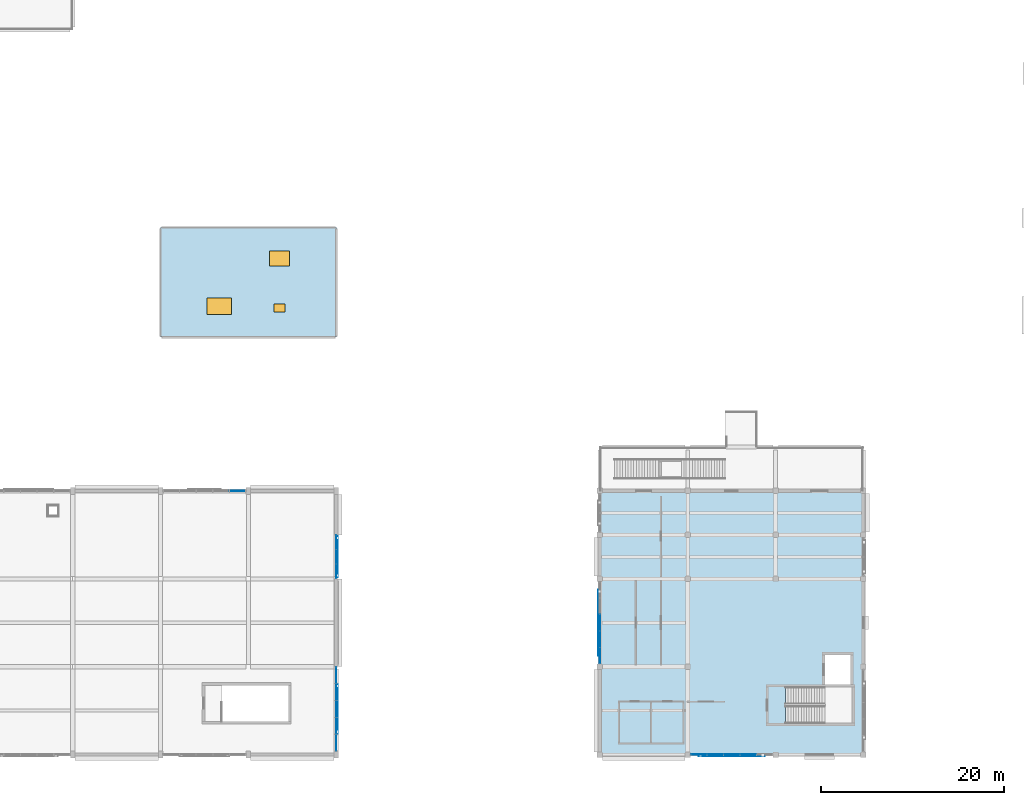
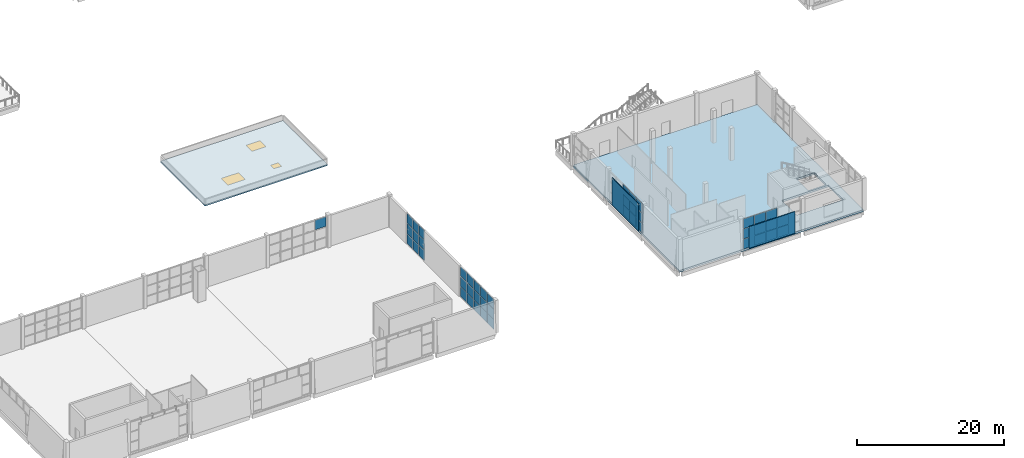
# One storey, part 36 of 72: 49 plates, 2 slabs, 2 windows, 1 door, 3 openings, 5 elements without a shape of their own.
"""IFC4 building model written with IfcOpenShell, lengths in metres."""

from ifc_helpers import new_model, si_unit, direction, frame, origin, origin_2d, place, context, subcontext, project, spatial, polyline, rectangle, outline, extrude, material, layer, layer_set, type_object, element, fill, aggregate, save


model = new_model("IFC4")

# Units and contexts
model_context = context("Model", 3, precision=1e-05, world=origin(), true_north=direction((0.0, 1.0)))
body_context = subcontext(model_context, "Body", "Model", "MODEL_VIEW")
ifc_project = project(units=[si_unit("LENGTHUNIT", "METRE"), si_unit("AREAUNIT", "SQUARE_METRE"), si_unit("VOLUMEUNIT", "CUBIC_METRE"), si_unit("PLANEANGLEUNIT", "RADIAN"), si_unit("MASSUNIT", "GRAM", prefix="KILO")], contexts=[model_context])

# Site, building, storey
site_placement = place(None, origin())
site = spatial("IfcSite", under=ifc_project, at=site_placement, CompositionType="ELEMENT")
building_placement = place(site_placement, origin())
building = spatial("IfcBuilding", under=site, at=building_placement, Name="Shalvenor Court Art Gallery", CompositionType="ELEMENT")
storey_placement = place(building_placement, frame((0.0, 0.0, 11.39990234375)))
storey = spatial("IfcBuildingStorey", under=building, at=storey_placement, Name="L02", CompositionType="ELEMENT", Elevation=11.39990234375)

# Curtain wall, plate
ifc_material_1 = material(Name="Anodised aluminium and low-iron glass curtain wall", Category="aluminium")
curtain_wall_type_1 = type_object("IfcCurtainWallType", Name="CW-5x3-91-51-421", PredefinedType="USERDEFINED", material=ifc_material_1)
curtain_wall_1_placement = place(storey_placement, origin())
curtain_wall_1 = element("IfcCurtainWall", 1, at=curtain_wall_1_placement, inside=storey, type_object=curtain_wall_type_1, Name="L02 V4 Curtain Wall CW-L02-142", ObjectType="CURTAIN WALL", PredefinedType="USERDEFINED")
ifc_material_2 = material(Name="Low-iron UV-laminated double glazing IGU", Category="glass")
ifc_layer_1 = layer(ifc_material_2, 0.028076171875, Name="Low-iron UV-laminated double glazing IGU")
ifc_layer_set_1 = layer_set([ifc_layer_1], Name="Low-iron UV-laminated double glazing IGU")
plate_type_1 = type_object("IfcPlateType", Name="CWP-01", PredefinedType="CURTAIN_PANEL", material=ifc_layer_set_1)
plate_1_placement = place(storey_placement, frame((56.421142578125, 28.800048828125, 3.4326171875), z_axis=(0.0, 0.0, 1.0), x_axis=(1.0, 0.0, 0.0)))
plate_1 = element("IfcPlate", 2, at=plate_1_placement, type_object=plate_type_1, Name="CW-5x3-91-51-421 panel 5.3", PredefinedType="CURTAIN_PANEL", context=body_context, shape_type="SweptSolid", body=[
    extrude(rectangle(XDim=1.70751953125, YDim=0.028076171875, at=origin_2d()), origin(), (0.0, 0.0, 1.0), 1.6025390625),
])
aggregate(curtain_wall_1, [plate_1])

# Curtain wall, plates
ifc_material_3 = material(Name="Anodised aluminium and low-iron glass curtain wall", Category="aluminium")
curtain_wall_type_2 = type_object("IfcCurtainWallType", Name="CW-3x3-48-51-641", PredefinedType="USERDEFINED", material=ifc_material_3)
curtain_wall_2_placement = place(storey_placement, origin())
curtain_wall_2 = element("IfcCurtainWall", 3, at=curtain_wall_2_placement, inside=storey, type_object=curtain_wall_type_2, Name="L02 V4 Curtain Wall CW-L02-143", ObjectType="CURTAIN WALL", PredefinedType="USERDEFINED")
plate_2_placement = place(storey_placement, frame((67.199951171875, 23.186279296875, 0.0703125), z_axis=(0.0, 0.0, 1.0), x_axis=(0.0, -1.0, 0.0)))
plate_2 = element("IfcPlate", 4, at=plate_2_placement, type_object=plate_type_1, Name="CW-3x3-48-51-641 panel 1.1", PredefinedType="CURTAIN_PANEL", context=body_context, shape_type="SweptSolid", body=[
    extrude(rectangle(XDim=1.517578125, YDim=0.028076171875, at=origin_2d()), origin(), (0.0, 0.0, 1.0), 1.594970703125),
])
plate_3_placement = place(storey_placement, frame((67.199951171875, 23.186279296875, 1.735107421875), z_axis=(0.0, 0.0, 1.0), x_axis=(0.0, -1.0, 0.0)))
plate_3 = element("IfcPlate", 5, at=plate_3_placement, type_object=plate_type_1, Name="CW-3x3-48-51-641 panel 1.2", PredefinedType="CURTAIN_PANEL", context=body_context, shape_type="SweptSolid", body=[
    extrude(rectangle(XDim=1.517578125, YDim=0.028076171875, at=origin_2d()), origin(), (0.0, 0.0, 1.0), 1.6298828125),
])
plate_4_placement = place(storey_placement, frame((67.199951171875, 23.186279296875, 3.43505859375), z_axis=(0.0, 0.0, 1.0), x_axis=(0.0, -1.0, 0.0)))
plate_4 = element("IfcPlate", 6, at=plate_4_placement, type_object=plate_type_1, Name="CW-3x3-48-51-641 panel 1.3", PredefinedType="CURTAIN_PANEL", context=body_context, shape_type="SweptSolid", body=[
    extrude(rectangle(XDim=1.517578125, YDim=0.028076171875, at=origin_2d()), origin(), (0.0, 0.0, 1.0), 1.594970703125),
])
plate_5_placement = place(storey_placement, frame((67.199951171875, 21.60009765625, 0.0703125), z_axis=(0.0, 0.0, 1.0), x_axis=(0.0, -1.0, 0.0)))
plate_5 = element("IfcPlate", 7, at=plate_5_placement, type_object=plate_type_1, Name="CW-3x3-48-51-641 panel 2.1", PredefinedType="CURTAIN_PANEL", context=body_context, shape_type="SweptSolid", body=[
    extrude(rectangle(XDim=1.544921875, YDim=0.028076171875, at=origin_2d()), origin(), (0.0, 0.0, 1.0), 1.594970703125),
])
plate_6_placement = place(storey_placement, frame((67.199951171875, 21.60009765625, 1.735107421875), z_axis=(0.0, 0.0, 1.0), x_axis=(0.0, -1.0, 0.0)))
plate_6 = element("IfcPlate", 8, at=plate_6_placement, type_object=plate_type_1, Name="CW-3x3-48-51-641 panel 2.2", PredefinedType="CURTAIN_PANEL", context=body_context, shape_type="SweptSolid", body=[
    extrude(rectangle(XDim=1.544921875, YDim=0.028076171875, at=origin_2d()), origin(), (0.0, 0.0, 1.0), 1.6298828125),
])
plate_7_placement = place(storey_placement, frame((67.199951171875, 21.60009765625, 3.43505859375), z_axis=(0.0, 0.0, 1.0), x_axis=(0.0, -1.0, 0.0)))
plate_7 = element("IfcPlate", 9, at=plate_7_placement, type_object=plate_type_1, Name="CW-3x3-48-51-641 panel 2.3", PredefinedType="CURTAIN_PANEL", context=body_context, shape_type="SweptSolid", body=[
    extrude(rectangle(XDim=1.544921875, YDim=0.028076171875, at=origin_2d()), origin(), (0.0, 0.0, 1.0), 1.594970703125),
])
plate_8_placement = place(storey_placement, frame((67.199951171875, 20.013671875, 0.0703125), z_axis=(0.0, 0.0, 1.0), x_axis=(0.0, -1.0, 0.0)))
plate_8 = element("IfcPlate", 10, at=plate_8_placement, type_object=plate_type_1, Name="CW-3x3-48-51-641 panel 3.1", PredefinedType="CURTAIN_PANEL", context=body_context, shape_type="SweptSolid", body=[
    extrude(rectangle(XDim=1.517578125, YDim=0.028076171875, at=origin_2d()), origin(), (0.0, 0.0, 1.0), 1.594970703125),
])
plate_9_placement = place(storey_placement, frame((67.199951171875, 20.013671875, 1.735107421875), z_axis=(0.0, 0.0, 1.0), x_axis=(0.0, -1.0, 0.0)))
plate_9 = element("IfcPlate", 11, at=plate_9_placement, type_object=plate_type_1, Name="CW-3x3-48-51-641 panel 3.2", PredefinedType="CURTAIN_PANEL", context=body_context, shape_type="SweptSolid", body=[
    extrude(rectangle(XDim=1.517578125, YDim=0.028076171875, at=origin_2d()), origin(), (0.0, 0.0, 1.0), 1.6298828125),
])
plate_10_placement = place(storey_placement, frame((67.199951171875, 20.013671875, 3.43505859375), z_axis=(0.0, 0.0, 1.0), x_axis=(0.0, -1.0, 0.0)))
plate_10 = element("IfcPlate", 12, at=plate_10_placement, type_object=plate_type_1, Name="CW-3x3-48-51-641 panel 3.3", PredefinedType="CURTAIN_PANEL", context=body_context, shape_type="SweptSolid", body=[
    extrude(rectangle(XDim=1.517578125, YDim=0.028076171875, at=origin_2d()), origin(), (0.0, 0.0, 1.0), 1.594970703125),
])
aggregate(curtain_wall_2, [plate_2, plate_3, plate_4, plate_5, plate_6, plate_7, plate_8, plate_9, plate_10])

ifc_material_4 = material(Name="Anodised aluminium and low-iron glass curtain wall", Category="aluminium")
curtain_wall_type_3 = type_object("IfcCurtainWallType", Name="CW-5x3-92-51-111", PredefinedType="USERDEFINED", material=ifc_material_4)
curtain_wall_3_placement = place(storey_placement, origin())
curtain_wall_3 = element("IfcCurtainWall", 13, at=curtain_wall_3_placement, inside=storey, type_object=curtain_wall_type_3, Name="L02 V4 Curtain Wall CW-L02-144", ObjectType="CURTAIN WALL", PredefinedType="USERDEFINED")
plate_11_placement = place(storey_placement, frame((67.199951171875, 8.6611328125, 0.06005859375), z_axis=(0.0, 0.0, 1.0), x_axis=(0.0, -1.0, 0.0)))
plate_11 = element("IfcPlate", 14, at=plate_11_placement, type_object=plate_type_1, Name="CW-5x3-92-51-111 panel 1.1", PredefinedType="CURTAIN_PANEL", context=body_context, shape_type="SweptSolid", body=[
    extrude(rectangle(XDim=1.74755859375, YDim=0.028076171875, at=origin_2d()), origin(), (0.0, 0.0, 1.0), 1.610107421875),
])
plate_12_placement = place(storey_placement, frame((67.199951171875, 8.6611328125, 1.72998046875), z_axis=(0.0, 0.0, 1.0), x_axis=(0.0, -1.0, 0.0)))
plate_12 = element("IfcPlate", 15, at=plate_12_placement, type_object=plate_type_1, Name="CW-5x3-92-51-111 panel 1.2", PredefinedType="CURTAIN_PANEL", context=body_context, shape_type="SweptSolid", body=[
    extrude(rectangle(XDim=1.74755859375, YDim=0.028076171875, at=origin_2d()), origin(), (0.0, 0.0, 1.0), 1.639892578125),
])
plate_13_placement = place(storey_placement, frame((67.199951171875, 8.6611328125, 3.43017578125), z_axis=(0.0, 0.0, 1.0), x_axis=(0.0, -1.0, 0.0)))
plate_13 = element("IfcPlate", 16, at=plate_13_placement, type_object=plate_type_1, Name="CW-5x3-92-51-111 panel 1.3", PredefinedType="CURTAIN_PANEL", context=body_context, shape_type="SweptSolid", body=[
    extrude(rectangle(XDim=1.74755859375, YDim=0.028076171875, at=origin_2d()), origin(), (0.0, 0.0, 1.0), 1.610107421875),
])
plate_14_placement = place(storey_placement, frame((67.199951171875, 6.83251953125, 0.06005859375), z_axis=(0.0, 0.0, 1.0), x_axis=(0.0, -1.0, 0.0)))
plate_14 = element("IfcPlate", 17, at=plate_14_placement, type_object=plate_type_1, Name="CW-5x3-92-51-111 panel 2.1", PredefinedType="CURTAIN_PANEL", context=body_context, shape_type="SweptSolid", body=[
    extrude(rectangle(XDim=1.780029296875, YDim=0.028076171875, at=origin_2d()), origin(), (0.0, 0.0, 1.0), 1.610107421875),
])
plate_15_placement = place(storey_placement, frame((67.199951171875, 6.83251953125, 1.72998046875), z_axis=(0.0, 0.0, 1.0), x_axis=(0.0, -1.0, 0.0)))
plate_15 = element("IfcPlate", 18, at=plate_15_placement, type_object=plate_type_1, Name="CW-5x3-92-51-111 panel 2.2", PredefinedType="CURTAIN_PANEL", context=body_context, shape_type="SweptSolid", body=[
    extrude(rectangle(XDim=1.780029296875, YDim=0.028076171875, at=origin_2d()), origin(), (0.0, 0.0, 1.0), 1.639892578125),
])
plate_16_placement = place(storey_placement, frame((67.199951171875, 6.83251953125, 3.43017578125), z_axis=(0.0, 0.0, 1.0), x_axis=(0.0, -1.0, 0.0)))
plate_16 = element("IfcPlate", 19, at=plate_16_placement, type_object=plate_type_1, Name="CW-5x3-92-51-111 panel 2.3", PredefinedType="CURTAIN_PANEL", context=body_context, shape_type="SweptSolid", body=[
    extrude(rectangle(XDim=1.780029296875, YDim=0.028076171875, at=origin_2d()), origin(), (0.0, 0.0, 1.0), 1.610107421875),
])
plate_17_placement = place(storey_placement, frame((67.199951171875, 4.987548828125, 0.06005859375), z_axis=(0.0, 0.0, 1.0), x_axis=(0.0, -1.0, 0.0)))
plate_17 = element("IfcPlate", 20, at=plate_17_placement, type_object=plate_type_1, Name="CW-5x3-92-51-111 panel 3.1", PredefinedType="CURTAIN_PANEL", context=body_context, shape_type="SweptSolid", body=[
    extrude(rectangle(XDim=1.780029296875, YDim=0.028076171875, at=origin_2d()), origin(), (0.0, 0.0, 1.0), 1.610107421875),
])
plate_18_placement = place(storey_placement, frame((67.199951171875, 4.987548828125, 1.72998046875), z_axis=(0.0, 0.0, 1.0), x_axis=(0.0, -1.0, 0.0)))
plate_18 = element("IfcPlate", 21, at=plate_18_placement, type_object=plate_type_1, Name="CW-5x3-92-51-111 panel 3.2", PredefinedType="CURTAIN_PANEL", context=body_context, shape_type="SweptSolid", body=[
    extrude(rectangle(XDim=1.780029296875, YDim=0.028076171875, at=origin_2d()), origin(), (0.0, 0.0, 1.0), 1.639892578125),
])
plate_19_placement = place(storey_placement, frame((67.199951171875, 4.987548828125, 3.43017578125), z_axis=(0.0, 0.0, 1.0), x_axis=(0.0, -1.0, 0.0)))
plate_19 = element("IfcPlate", 22, at=plate_19_placement, type_object=plate_type_1, Name="CW-5x3-92-51-111 panel 3.3", PredefinedType="CURTAIN_PANEL", context=body_context, shape_type="SweptSolid", body=[
    extrude(rectangle(XDim=1.780029296875, YDim=0.028076171875, at=origin_2d()), origin(), (0.0, 0.0, 1.0), 1.610107421875),
])
plate_20_placement = place(storey_placement, frame((67.199951171875, 3.142578125, 0.06005859375), z_axis=(0.0, 0.0, 1.0), x_axis=(0.0, -1.0, 0.0)))
plate_20 = element("IfcPlate", 23, at=plate_20_placement, type_object=plate_type_1, Name="CW-5x3-92-51-111 panel 4.1", PredefinedType="CURTAIN_PANEL", context=body_context, shape_type="SweptSolid", body=[
    extrude(rectangle(XDim=1.780029296875, YDim=0.028076171875, at=origin_2d()), origin(), (0.0, 0.0, 1.0), 1.610107421875),
])
plate_21_placement = place(storey_placement, frame((67.199951171875, 3.142578125, 1.72998046875), z_axis=(0.0, 0.0, 1.0), x_axis=(0.0, -1.0, 0.0)))
plate_21 = element("IfcPlate", 24, at=plate_21_placement, type_object=plate_type_1, Name="CW-5x3-92-51-111 panel 4.2", PredefinedType="CURTAIN_PANEL", context=body_context, shape_type="SweptSolid", body=[
    extrude(rectangle(XDim=1.780029296875, YDim=0.028076171875, at=origin_2d()), origin(), (0.0, 0.0, 1.0), 1.639892578125),
])
plate_22_placement = place(storey_placement, frame((67.199951171875, 3.142578125, 3.43017578125), z_axis=(0.0, 0.0, 1.0), x_axis=(0.0, -1.0, 0.0)))
plate_22 = element("IfcPlate", 25, at=plate_22_placement, type_object=plate_type_1, Name="CW-5x3-92-51-111 panel 4.3", PredefinedType="CURTAIN_PANEL", context=body_context, shape_type="SweptSolid", body=[
    extrude(rectangle(XDim=1.780029296875, YDim=0.028076171875, at=origin_2d()), origin(), (0.0, 0.0, 1.0), 1.610107421875),
])
plate_23_placement = place(storey_placement, frame((67.199951171875, 1.313720703125, 0.06005859375), z_axis=(0.0, 0.0, 1.0), x_axis=(0.0, -1.0, 0.0)))
plate_23 = element("IfcPlate", 26, at=plate_23_placement, type_object=plate_type_1, Name="CW-5x3-92-51-111 panel 5.1", PredefinedType="CURTAIN_PANEL", context=body_context, shape_type="SweptSolid", body=[
    extrude(rectangle(XDim=1.74755859375, YDim=0.028076171875, at=origin_2d()), origin(), (0.0, 0.0, 1.0), 1.610107421875),
])
plate_24_placement = place(storey_placement, frame((67.199951171875, 1.313720703125, 1.72998046875), z_axis=(0.0, 0.0, 1.0), x_axis=(0.0, -1.0, 0.0)))
plate_24 = element("IfcPlate", 27, at=plate_24_placement, type_object=plate_type_1, Name="CW-5x3-92-51-111 panel 5.2", PredefinedType="CURTAIN_PANEL", context=body_context, shape_type="SweptSolid", body=[
    extrude(rectangle(XDim=1.74755859375, YDim=0.028076171875, at=origin_2d()), origin(), (0.0, 0.0, 1.0), 1.639892578125),
])
plate_25_placement = place(storey_placement, frame((67.199951171875, 1.313720703125, 3.43017578125), z_axis=(0.0, 0.0, 1.0), x_axis=(0.0, -1.0, 0.0)))
plate_25 = element("IfcPlate", 28, at=plate_25_placement, type_object=plate_type_1, Name="CW-5x3-92-51-111 panel 5.3", PredefinedType="CURTAIN_PANEL", context=body_context, shape_type="SweptSolid", body=[
    extrude(rectangle(XDim=1.74755859375, YDim=0.028076171875, at=origin_2d()), origin(), (0.0, 0.0, 1.0), 1.610107421875),
])
aggregate(curtain_wall_3, [plate_11, plate_12, plate_13, plate_14, plate_15, plate_16, plate_17, plate_18, plate_19, plate_20, plate_21, plate_22, plate_23, plate_24, plate_25])

ifc_material_5 = material(Name="Anodised aluminium and low-iron glass curtain wall", Category="aluminium")
curtain_wall_type_4 = type_object("IfcCurtainWallType", Name="CW-5x3-90-51-422", PredefinedType="USERDEFINED", material=ifc_material_5)
curtain_wall_4_placement = place(storey_placement, origin())
curtain_wall_4 = element("IfcCurtainWall", 29, at=curtain_wall_4_placement, inside=storey, type_object=curtain_wall_type_4, Name="L02 V3 Curtain Wall CW-L02-106", ObjectType="CURTAIN WALL", PredefinedType="USERDEFINED")
ifc_material_6 = material(Name="Low-iron triple-silver solar gallery glazing IGU", Category="glass")
ifc_layer_2 = layer(ifc_material_6, 0.031982421875, Name="Low-iron triple-silver solar gallery glazing IGU")
ifc_layer_set_2 = layer_set([ifc_layer_2], Name="Low-iron triple-silver solar gallery glazing IGU")
plate_type_2 = type_object("IfcPlateType", Name="CWP-02", PredefinedType="CURTAIN_PANEL", material=ifc_layer_set_2)
plate_26_placement = place(storey_placement, frame((112.199951171875, 0.0, 0.065185546875), z_axis=(0.0, 0.0, 1.0), x_axis=(-1.0, 0.0, 0.0)))
plate_26 = element("IfcPlate", 30, at=plate_26_placement, type_object=plate_type_2, Name="CW-5x3-90-51-422 panel 2.1", PredefinedType="CURTAIN_PANEL", context=body_context, shape_type="SweptSolid", body=[
    extrude(rectangle(XDim=1.72509765625, YDim=0.031982421875, at=origin_2d()), origin(), (0.0, 0.0, 1.0), 1.6025390625),
])
plate_27_placement = place(storey_placement, frame((112.199951171875, 0.0, 1.732421875), z_axis=(0.0, 0.0, 1.0), x_axis=(-1.0, 0.0, 0.0)))
plate_27 = element("IfcPlate", 31, at=plate_27_placement, type_object=plate_type_2, Name="CW-5x3-90-51-422 panel 2.2", PredefinedType="CURTAIN_PANEL", context=body_context, shape_type="SweptSolid", body=[
    extrude(rectangle(XDim=1.72509765625, YDim=0.031982421875, at=origin_2d()), origin(), (0.0, 0.0, 1.0), 1.635009765625),
])
plate_28_placement = place(storey_placement, frame((110.39990234375, 0.0, 0.065185546875), z_axis=(0.0, 0.0, 1.0), x_axis=(-1.0, 0.0, 0.0)))
plate_28 = element("IfcPlate", 32, at=plate_28_placement, type_object=plate_type_2, Name="CW-5x3-90-51-422 panel 3.1", PredefinedType="CURTAIN_PANEL", context=body_context, shape_type="SweptSolid", body=[
    extrude(rectangle(XDim=1.72509765625, YDim=0.031982421875, at=origin_2d()), origin(), (0.0, 0.0, 1.0), 1.6025390625),
])
plate_29_placement = place(storey_placement, frame((110.39990234375, 0.0, 1.732421875), z_axis=(0.0, 0.0, 1.0), x_axis=(-1.0, 0.0, 0.0)))
plate_29 = element("IfcPlate", 33, at=plate_29_placement, type_object=plate_type_2, Name="CW-5x3-90-51-422 panel 3.2", PredefinedType="CURTAIN_PANEL", context=body_context, shape_type="SweptSolid", body=[
    extrude(rectangle(XDim=1.72509765625, YDim=0.031982421875, at=origin_2d()), origin(), (0.0, 0.0, 1.0), 1.635009765625),
])
plate_30_placement = place(storey_placement, frame((110.39990234375, 0.0, 3.4326171875), z_axis=(0.0, 0.0, 1.0), x_axis=(-1.0, 0.0, 0.0)))
plate_30 = element("IfcPlate", 34, at=plate_30_placement, type_object=plate_type_2, Name="CW-5x3-90-51-422 panel 3.3", PredefinedType="CURTAIN_PANEL", context=body_context, shape_type="SweptSolid", body=[
    extrude(rectangle(XDim=1.72509765625, YDim=0.031982421875, at=origin_2d()), origin(), (0.0, 0.0, 1.0), 1.6025390625),
])
plate_31_placement = place(storey_placement, frame((108.60009765625, 0.0, 0.065185546875), z_axis=(0.0, 0.0, 1.0), x_axis=(-1.0, 0.0, 0.0)))
plate_31 = element("IfcPlate", 35, at=plate_31_placement, type_object=plate_type_2, Name="CW-5x3-90-51-422 panel 4.1", PredefinedType="CURTAIN_PANEL", context=body_context, shape_type="SweptSolid", body=[
    extrude(rectangle(XDim=1.72509765625, YDim=0.031982421875, at=origin_2d()), origin(), (0.0, 0.0, 1.0), 1.6025390625),
])
plate_32_placement = place(storey_placement, frame((108.60009765625, 0.0, 1.732421875), z_axis=(0.0, 0.0, 1.0), x_axis=(-1.0, 0.0, 0.0)))
plate_32 = element("IfcPlate", 36, at=plate_32_placement, type_object=plate_type_2, Name="CW-5x3-90-51-422 panel 4.2", PredefinedType="CURTAIN_PANEL", context=body_context, shape_type="SweptSolid", body=[
    extrude(rectangle(XDim=1.72509765625, YDim=0.031982421875, at=origin_2d()), origin(), (0.0, 0.0, 1.0), 1.635009765625),
])
plate_33_placement = place(storey_placement, frame((108.60009765625, 0.0, 3.4326171875), z_axis=(0.0, 0.0, 1.0), x_axis=(-1.0, 0.0, 0.0)))
plate_33 = element("IfcPlate", 37, at=plate_33_placement, type_object=plate_type_2, Name="CW-5x3-90-51-422 panel 4.3", PredefinedType="CURTAIN_PANEL", context=body_context, shape_type="SweptSolid", body=[
    extrude(rectangle(XDim=1.72509765625, YDim=0.031982421875, at=origin_2d()), origin(), (0.0, 0.0, 1.0), 1.6025390625),
])
plate_34_placement = place(storey_placement, frame((106.81884765625, 0.0, 0.065185546875), z_axis=(0.0, 0.0, 1.0), x_axis=(-1.0, 0.0, 0.0)))
plate_34 = element("IfcPlate", 38, at=plate_34_placement, type_object=plate_type_2, Name="CW-5x3-90-51-422 panel 5.1", PredefinedType="CURTAIN_PANEL", context=body_context, shape_type="SweptSolid", body=[
    extrude(rectangle(XDim=1.6875, YDim=0.031982421875, at=origin_2d()), origin(), (0.0, 0.0, 1.0), 1.6025390625),
])
plate_35_placement = place(storey_placement, frame((106.81884765625, 0.0, 1.732421875), z_axis=(0.0, 0.0, 1.0), x_axis=(-1.0, 0.0, 0.0)))
plate_35 = element("IfcPlate", 39, at=plate_35_placement, type_object=plate_type_2, Name="CW-5x3-90-51-422 panel 5.2", PredefinedType="CURTAIN_PANEL", context=body_context, shape_type="SweptSolid", body=[
    extrude(rectangle(XDim=1.6875, YDim=0.031982421875, at=origin_2d()), origin(), (0.0, 0.0, 1.0), 1.635009765625),
])
plate_36_placement = place(storey_placement, frame((106.81884765625, 0.0, 3.4326171875), z_axis=(0.0, 0.0, 1.0), x_axis=(-1.0, 0.0, 0.0)))
plate_36 = element("IfcPlate", 40, at=plate_36_placement, type_object=plate_type_2, Name="CW-5x3-90-51-422 panel 5.3", PredefinedType="CURTAIN_PANEL", context=body_context, shape_type="SweptSolid", body=[
    extrude(rectangle(XDim=1.6875, YDim=0.031982421875, at=origin_2d()), origin(), (0.0, 0.0, 1.0), 1.6025390625),
])
aggregate(curtain_wall_4, [plate_26, plate_27, plate_28, plate_29, plate_30, plate_31, plate_32, plate_33, plate_34, plate_35, plate_36])

ifc_material_7 = material(Name="Anodised aluminium and low-iron glass curtain wall", Category="aluminium")
curtain_wall_type_5 = type_object("IfcCurtainWallType", Name="CW-5x3-90-51-642", PredefinedType="USERDEFINED", material=ifc_material_7)
curtain_wall_5_placement = place(storey_placement, origin())
curtain_wall_5 = element("IfcCurtainWall", 41, at=curtain_wall_5_placement, inside=storey, type_object=curtain_wall_type_5, Name="L02 V3 Curtain Wall CW-L02-107", ObjectType="CURTAIN WALL", PredefinedType="USERDEFINED")
plate_37_placement = place(storey_placement, frame((96.0, 10.813720703125, 0.0703125), z_axis=(0.0, 0.0, 1.0), x_axis=(0.0, 1.0, 0.0)))
plate_37 = element("IfcPlate", 42, at=plate_37_placement, type_object=plate_type_2, Name="CW-5x3-90-51-642 panel 1.1", PredefinedType="CURTAIN_PANEL", context=body_context, shape_type="SweptSolid", body=[
    extrude(rectangle(XDim=1.717529296875, YDim=0.031982421875, at=origin_2d()), origin(), (0.0, 0.0, 1.0), 1.594970703125),
])
plate_38_placement = place(storey_placement, frame((96.0, 10.813720703125, 1.735107421875), z_axis=(0.0, 0.0, 1.0), x_axis=(0.0, 1.0, 0.0)))
plate_38 = element("IfcPlate", 43, at=plate_38_placement, type_object=plate_type_2, Name="CW-5x3-90-51-642 panel 1.2", PredefinedType="CURTAIN_PANEL", context=body_context, shape_type="SweptSolid", body=[
    extrude(rectangle(XDim=1.717529296875, YDim=0.031982421875, at=origin_2d()), origin(), (0.0, 0.0, 1.0), 1.6298828125),
])
plate_39_placement = place(storey_placement, frame((96.0, 10.813720703125, 3.43505859375), z_axis=(0.0, 0.0, 1.0), x_axis=(0.0, 1.0, 0.0)))
plate_39 = element("IfcPlate", 44, at=plate_39_placement, type_object=plate_type_2, Name="CW-5x3-90-51-642 panel 1.3", PredefinedType="CURTAIN_PANEL", context=body_context, shape_type="SweptSolid", body=[
    extrude(rectangle(XDim=1.717529296875, YDim=0.031982421875, at=origin_2d()), origin(), (0.0, 0.0, 1.0), 1.594970703125),
])
plate_40_placement = place(storey_placement, frame((96.0, 12.60009765625, 0.0703125), z_axis=(0.0, 0.0, 1.0), x_axis=(0.0, 1.0, 0.0)))
plate_40 = element("IfcPlate", 45, at=plate_40_placement, type_object=plate_type_2, Name="CW-5x3-90-51-642 panel 2.1", PredefinedType="CURTAIN_PANEL", context=body_context, shape_type="SweptSolid", body=[
    extrude(rectangle(XDim=1.7451171875, YDim=0.031982421875, at=origin_2d()), origin(), (0.0, 0.0, 1.0), 1.594970703125),
])
plate_41_placement = place(storey_placement, frame((96.0, 12.60009765625, 1.735107421875), z_axis=(0.0, 0.0, 1.0), x_axis=(0.0, 1.0, 0.0)))
plate_41 = element("IfcPlate", 46, at=plate_41_placement, type_object=plate_type_2, Name="CW-5x3-90-51-642 panel 2.2", PredefinedType="CURTAIN_PANEL", context=body_context, shape_type="SweptSolid", body=[
    extrude(rectangle(XDim=1.7451171875, YDim=0.031982421875, at=origin_2d()), origin(), (0.0, 0.0, 1.0), 1.6298828125),
])
plate_42_placement = place(storey_placement, frame((96.0, 12.60009765625, 3.43505859375), z_axis=(0.0, 0.0, 1.0), x_axis=(0.0, 1.0, 0.0)))
plate_42 = element("IfcPlate", 47, at=plate_42_placement, type_object=plate_type_2, Name="CW-5x3-90-51-642 panel 2.3", PredefinedType="CURTAIN_PANEL", context=body_context, shape_type="SweptSolid", body=[
    extrude(rectangle(XDim=1.7451171875, YDim=0.031982421875, at=origin_2d()), origin(), (0.0, 0.0, 1.0), 1.594970703125),
])
plate_43_placement = place(storey_placement, frame((96.0, 14.39990234375, 0.0703125), z_axis=(0.0, 0.0, 1.0), x_axis=(0.0, 1.0, 0.0)))
plate_43 = element("IfcPlate", 48, at=plate_43_placement, type_object=plate_type_2, Name="CW-5x3-90-51-642 panel 3.1", PredefinedType="CURTAIN_PANEL", context=body_context, shape_type="SweptSolid", body=[
    extrude(rectangle(XDim=1.7451171875, YDim=0.031982421875, at=origin_2d()), origin(), (0.0, 0.0, 1.0), 1.594970703125),
])
plate_44_placement = place(storey_placement, frame((96.0, 14.39990234375, 1.735107421875), z_axis=(0.0, 0.0, 1.0), x_axis=(0.0, 1.0, 0.0)))
plate_44 = element("IfcPlate", 49, at=plate_44_placement, type_object=plate_type_2, Name="CW-5x3-90-51-642 panel 3.2", PredefinedType="CURTAIN_PANEL", context=body_context, shape_type="SweptSolid", body=[
    extrude(rectangle(XDim=1.7451171875, YDim=0.031982421875, at=origin_2d()), origin(), (0.0, 0.0, 1.0), 1.6298828125),
])
plate_45_placement = place(storey_placement, frame((96.0, 14.39990234375, 3.43505859375), z_axis=(0.0, 0.0, 1.0), x_axis=(0.0, 1.0, 0.0)))
plate_45 = element("IfcPlate", 50, at=plate_45_placement, type_object=plate_type_2, Name="CW-5x3-90-51-642 panel 3.3", PredefinedType="CURTAIN_PANEL", context=body_context, shape_type="SweptSolid", body=[
    extrude(rectangle(XDim=1.7451171875, YDim=0.031982421875, at=origin_2d()), origin(), (0.0, 0.0, 1.0), 1.594970703125),
])
aggregate(curtain_wall_5, [plate_37, plate_38, plate_39, plate_40, plate_41, plate_42, plate_43, plate_44, plate_45])

# Slab
ifc_material_8 = material(Name="Concrete C40/50", Category="concrete")
ifc_layer_3 = layer(ifc_material_8, 0.320068359375, Name="Concrete C40/50")
ifc_layer_set_3 = layer_set([ifc_layer_3], Name="Concrete C40/50")
slab_type_1 = type_object("IfcSlabType", Name="FS-320", PredefinedType="FLOOR", material=ifc_layer_set_3)
slab_1_placement = place(storey_placement, frame((0.0, 0.0, -0.31982421875)))
element("IfcSlab", 51, at=slab_1_placement, inside=storey, type_object=slab_type_1, Name="L02 V3 Floor Slab 1", PredefinedType="FLOOR", context=body_context, shape_type="SweptSolid", body=[
    extrude(outline(polyline([(124.800048828125, 28.800048828125), (124.800048828125, 0.0), (96.0, 0.0), (96.0, 28.800048828125), (124.800048828125, 28.800048828125)]), holes=[polyline([(116.31103515625, 3.39990234375), (123.60009765625, 3.39990234375), (123.60009765625, 7.39990234375), (116.31103515625, 7.39990234375), (116.31103515625, 3.39990234375)]), polyline([(120.60009765625, 10.89990234375), (120.60009765625, 7.672119140625), (123.39990234375, 7.672119140625), (123.39990234375, 10.89990234375), (120.60009765625, 10.89990234375)])]), origin(), (0.0, 0.0, 1.0), 0.31982421875),
])

# Slab, openings, windows, door
ifc_material_9 = material(Name="Concrete C40/50", Category="concrete")
ifc_layer_4 = layer(ifc_material_9, 0.2099609375, Name="Concrete C40/50")
ifc_layer_set_4 = layer_set([ifc_layer_4], Name="Concrete C40/50")
slab_type_2 = type_object("IfcSlabType", Name="RF-210", PredefinedType="ROOF", material=ifc_layer_set_4)
slab_2_placement = place(storey_placement, frame((0.0, 0.0, -0.2099609375)))
slab_2 = element("IfcSlab", 52, at=slab_2_placement, inside=storey, type_object=slab_type_2, Name="L02 V6 Flat Roof Slab", PredefinedType="ROOF", context=body_context, shape_type="SweptSolid", body=[
    extrude(outline(polyline([(67.199951171875, 45.60009765625), (67.199951171875, 57.60009765625), (48.0, 57.60009765625), (48.0, 45.60009765625), (67.199951171875, 45.60009765625)])), origin(), (0.0, 0.0, 1.0), 0.2099609375),
])
opening_1_placement = place(slab_2_placement, frame((61.0, 48.800048828125, -0.010009765625), z_axis=(0.0, 0.0, 1.0), x_axis=(1.0, 0.0, 0.0)))
opening_1 = element("IfcOpeningElement", 53, at=opening_1_placement, cuts=slab_2, Name="Opening RH-01", PredefinedType="OPENING", context=body_context, shape_type="SweptSolid", body=[
    extrude(rectangle(XDim=1.199951171875, YDim=0.89990234375, at=origin_2d()), origin(), (0.0, 0.0, 1.0), 0.22998046875),
])
opening_2_placement = place(slab_2_placement, frame((54.39990234375, 49.0, -0.010009765625), z_axis=(0.0, 0.0, 1.0), x_axis=(1.0, 0.0, 0.0)))
opening_2 = element("IfcOpeningElement", 54, at=opening_2_placement, cuts=slab_2, Name="Opening SK-05", PredefinedType="OPENING", context=body_context, shape_type="SweptSolid", body=[
    extrude(rectangle(XDim=2.699951171875, YDim=1.800048828125, at=origin_2d()), origin(), (0.0, 0.0, 1.0), 0.22998046875),
])
opening_3_placement = place(slab_2_placement, frame((61.0, 54.199951171875, -0.010009765625), z_axis=(0.0, 0.0, 1.0), x_axis=(1.0, 0.0, 0.0)))
opening_3 = element("IfcOpeningElement", 55, at=opening_3_placement, cuts=slab_2, Name="Opening LDM-01", PredefinedType="OPENING", context=body_context, shape_type="SweptSolid", body=[
    extrude(rectangle(XDim=2.199951171875, YDim=1.60009765625, at=origin_2d()), origin(), (0.0, 0.0, 1.0), 0.22998046875),
])
ifc_material_10 = material(Name="Diffused opal polycarbonate museum daylight dome", Category="glass")
window_type_1 = type_object("IfcWindowType", Name="LDM-01", PartitioningType="SINGLE_PANEL", PredefinedType="LIGHTDOME", material=ifc_material_10)
window_1_placement = place(slab_2_placement, frame((61.0, 54.199951171875, 0.070068359375), z_axis=(0.0, 0.0, 1.0), x_axis=(1.0, 0.0, 0.0)))
window_1 = element("IfcWindow", 56, at=window_1_placement, inside=storey, type_object=window_type_1, Name="L02 Roof Skylight SKY-0069", OverallHeight=1.60009765625, OverallWidth=2.199951171875, PartitioningType="SINGLE_PANEL", PredefinedType="LIGHTDOME", context=body_context, shape_type="SweptSolid", body=[
    extrude(rectangle(XDim=2.199951171875, YDim=1.60009765625, at=origin_2d()), origin(), (0.0, 0.0, 1.0), 0.139892578125),
])
fill(opening_3, window_1)
ifc_material_11 = material(Name="Insulated aluminium roof access hatch", Category="aluminium")
door_type = type_object("IfcDoorType", Name="RH-01", OperationType="NOTDEFINED", PredefinedType="TRAPDOOR", material=ifc_material_11)
door_placement = place(slab_2_placement, frame((61.0, 48.800048828125, 0.08984375), z_axis=(0.0, 0.0, 1.0), x_axis=(1.0, 0.0, 0.0)))
door = element("IfcDoor", 57, at=door_placement, inside=storey, type_object=door_type, Name="HT-L02-04 L02 Roof Access Hatch", OperationType="SINGLE_SWING_LEFT", OverallHeight=0.1201171875, OverallWidth=1.199951171875, PredefinedType="TRAPDOOR", context=body_context, shape_type="SweptSolid", body=[
    extrude(rectangle(XDim=1.199951171875, YDim=0.89990234375, at=origin_2d()), origin(), (0.0, 0.0, 1.0), 0.1201171875),
])
fill(opening_1, door)
ifc_material_12 = material(Name="UV-filtered diffused museum skylight IGU", Category="glass")
window_type_2 = type_object("IfcWindowType", Name="SK-05", PartitioningType="SINGLE_PANEL", PredefinedType="SKYLIGHT", material=ifc_material_12)
window_2_placement = place(slab_2_placement, frame((54.39990234375, 49.0, 0.08984375), z_axis=(0.0, 0.0, 1.0), x_axis=(1.0, 0.0, 0.0)))
window_2 = element("IfcWindow", 58, at=window_2_placement, inside=storey, type_object=window_type_2, Name="L02 Roof Skylight SKY-0068", OverallHeight=1.800048828125, OverallWidth=2.699951171875, PartitioningType="SINGLE_PANEL", PredefinedType="SKYLIGHT", context=body_context, shape_type="SweptSolid", body=[
    extrude(rectangle(XDim=2.699951171875, YDim=1.800048828125, at=origin_2d()), origin(), (0.0, 0.0, 1.0), 0.1201171875),
])
fill(opening_2, window_2)

# Plates
ifc_material_13 = material(Name="Perforated pale limestone GRC lattice", Category="masonry")
ifc_layer_5 = layer(ifc_material_13, 0.090087890625, Name="Perforated pale limestone GRC lattice")
ifc_layer_set_5 = layer_set([ifc_layer_5], Name="Perforated pale limestone GRC lattice")
plate_type_3 = type_object("IfcPlateType", Name="SCR-03", PredefinedType="USERDEFINED", material=ifc_layer_set_5)
plate_46_placement = place(storey_placement, frame((67.3330078125, 4.987548828125, 0.0), z_axis=(0.0, 0.0, 1.0), x_axis=(0.0, -1.0, 0.0)))
element("IfcPlate", 59, at=plate_46_placement, inside=storey, type_object=plate_type_3, Name="L02 V4 Perforated Stone Lattice Screen PLT-SCR-0129", ObjectType="SCREEN", PredefinedType="USERDEFINED", context=body_context, shape_type="SweptSolid", body=[
    extrude(rectangle(XDim=5.39990234375, YDim=0.090087890625, at=origin_2d()), origin(), (0.0, 0.0, 1.0), 3.60009765625),
])
ifc_material_14 = material(Name="Perforated pale limestone GRC lattice", Category="masonry")
ifc_layer_6 = layer(ifc_material_14, 0.090087890625, Name="Perforated pale limestone GRC lattice")
ifc_layer_set_6 = layer_set([ifc_layer_6], Name="Perforated pale limestone GRC lattice")
plate_type_4 = type_object("IfcPlateType", Name="SCR-07", PredefinedType="USERDEFINED", material=ifc_layer_set_6)
plate_47_placement = place(storey_placement, frame((110.39990234375, -0.153076171875, 0.0), z_axis=(0.0, 0.0, 1.0), x_axis=(-1.0, 0.0, 0.0)))
element("IfcPlate", 60, at=plate_47_placement, inside=storey, type_object=plate_type_4, Name="L02 V3 Perforated Stone Lattice Screen PLT-SCR-0091", ObjectType="SCREEN", PredefinedType="USERDEFINED", context=body_context, shape_type="SweptSolid", body=[
    extrude(rectangle(XDim=7.199951171875, YDim=0.090087890625, at=origin_2d()), origin(), (0.0, 0.0, 1.0), 3.60009765625),
])
ifc_material_15 = material(Name="Perforated pale limestone GRC lattice", Category="masonry")
ifc_layer_7 = layer(ifc_material_15, 0.090087890625, Name="Perforated pale limestone GRC lattice")
ifc_layer_set_7 = layer_set([ifc_layer_7], Name="Perforated pale limestone GRC lattice")
plate_type_5 = type_object("IfcPlateType", Name="SCR-08", PredefinedType="USERDEFINED", material=ifc_layer_set_7)
plate_48_placement = place(storey_placement, frame((95.886962890625, 14.39990234375, 0.0), z_axis=(0.0, 0.0, 1.0), x_axis=(0.0, 1.0, 0.0)))
element("IfcPlate", 61, at=plate_48_placement, inside=storey, type_object=plate_type_5, Name="L02 V3 Perforated Stone Lattice Screen PLT-SCR-0092", ObjectType="SCREEN", PredefinedType="USERDEFINED", context=body_context, shape_type="SweptSolid", body=[
    extrude(rectangle(XDim=7.199951171875, YDim=0.090087890625, at=origin_2d()), origin(), (0.0, 0.0, 1.0), 4.5),
])
ifc_material_16 = material(Name="Perforated pale limestone GRC lattice", Category="masonry")
ifc_layer_8 = layer(ifc_material_16, 0.090087890625, Name="Perforated pale limestone GRC lattice")
ifc_layer_set_8 = layer_set([ifc_layer_8], Name="Perforated pale limestone GRC lattice")
plate_type_6 = type_object("IfcPlateType", Name="SCR-09", PredefinedType="USERDEFINED", material=ifc_layer_set_8)
plate_49_placement = place(storey_placement, frame((67.31298828125, 21.60009765625, 0.0), z_axis=(0.0, 0.0, 1.0), x_axis=(0.0, -1.0, 0.0)))
element("IfcPlate", 62, at=plate_49_placement, inside=storey, type_object=plate_type_6, Name="L02 V4 Perforated Stone Lattice Screen PLT-SCR-0128", ObjectType="SCREEN", PredefinedType="USERDEFINED", context=body_context, shape_type="SweptSolid", body=[
    extrude(rectangle(XDim=4.5, YDim=0.090087890625, at=origin_2d()), origin(), (0.0, 0.0, 1.0), 2.699951171875),
])

save(model, "model.ifc")
